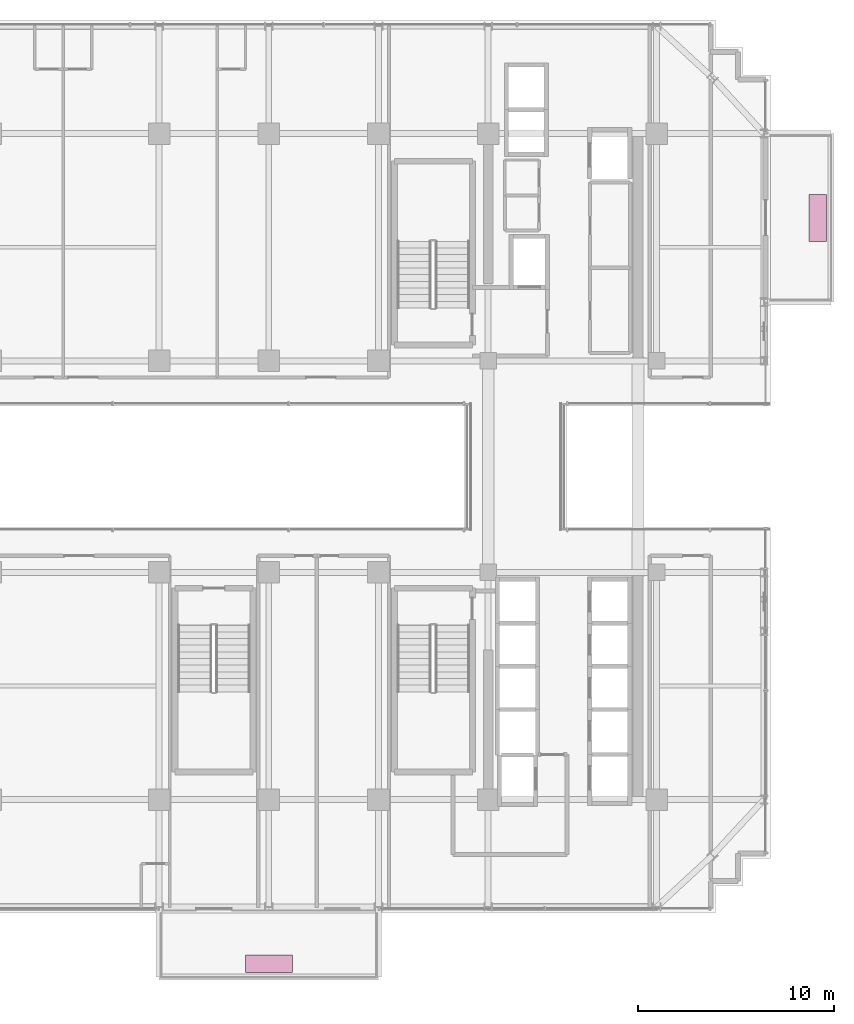
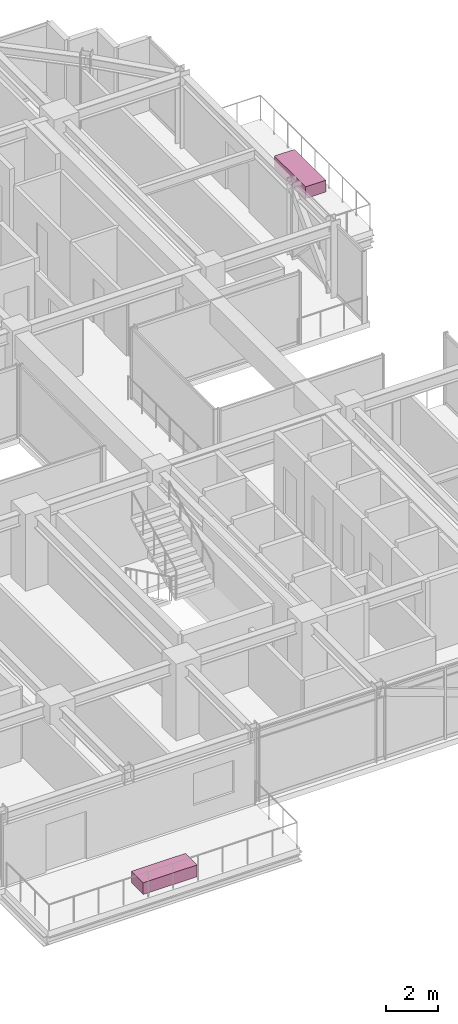
# One storey, part 38 of 38: 2 furnishings.
"""IFC4 building model written with IfcOpenShell, lengths in metres."""

import ifcopenshell
import ifcopenshell.guid

model = None  # the IFC model being written
_history = None  # IfcOwnerHistory: only IFC2X3 demands one
_inside = {}  # id of a spatial element -> (the spatial element, [elements in it])
_under = {}  # id of a project, library or spatial element -> (it, [spatial elements below it])
_declared = {}  # id of a project -> (the project, [libraries it declares])
_typed = {}  # id of a type object -> (the type object, [elements of that type])
_made_of = {}  # id of a material, layer set ... -> (it, [elements and type objects made of it])


def new_model(schema):
    """Start an empty IFC model of exactly this schema.

    Asked for "IFC4X3", IfcOpenShell would pick the latest addendum, in which some entities
    have other attributes; the version numbers below select the first issue.
    IFC2X3 requires an IfcOwnerHistory on every rooted entity: one is made here for all.
    """
    global model, _history
    if schema == "IFC4X3":
        model = ifcopenshell.file(schema_version=(4, 3, 0, 0))
    else:
        model = ifcopenshell.file(schema=schema)
    _inside.clear()
    _under.clear()
    _declared.clear()
    _typed.clear()
    _made_of.clear()
    _history = None
    if model.schema == "IFC2X3":
        org = make("IfcOrganization", Name="unknown")
        user = make(
            "IfcPersonAndOrganization",
            ThePerson=make("IfcPerson", FamilyName="unknown"),
            TheOrganization=org,
        )
        app = make(
            "IfcApplication",
            ApplicationDeveloper=org,
            Version="unknown",
            ApplicationFullName="unknown",
            ApplicationIdentifier="unknown",
        )
        _history = make(
            "IfcOwnerHistory",
            OwningUser=user,
            OwningApplication=app,
            ChangeAction="ADDED",
            CreationDate=0,
        )
    return model


def make(cls, **values):
    """One entity of the class cls with the attributes given. An attribute that is None is left unset."""
    return model.create_entity(
        cls, **{name: value for name, value in values.items() if value is not None}
    )


def rooted(cls, **values):
    """An entity with a GlobalId (a new one), such as an element, a storey or a relation."""
    return make(cls, GlobalId=ifcopenshell.guid.new(), OwnerHistory=_history, **values)


def si_unit(unit_type, name, prefix=None):
    """IfcSIUnit, for example si_unit("LENGTHUNIT", "METRE", prefix="MILLI")."""
    return make("IfcSIUnit", UnitType=unit_type, Prefix=prefix, Name=name)


def assignment(units):
    """IfcUnitAssignment: the units of a project."""
    return None if units is None else make("IfcUnitAssignment", Units=units)


def point(xyz):
    """IfcCartesianPoint."""
    return None if xyz is None else make("IfcCartesianPoint", Coordinates=xyz)


def direction(xyz):
    """IfcDirection."""
    return None if xyz is None else make("IfcDirection", DirectionRatios=xyz)


def frame(location, z_axis=None, x_axis=None):
    """IfcAxis2Placement3D, a coordinate frame: its origin and axes. An axis left out is left unset."""
    return make(
        "IfcAxis2Placement3D",
        Location=point(location),
        Axis=direction(z_axis),
        RefDirection=direction(x_axis),
    )


def frame_2d(location, x_axis=None):
    """IfcAxis2Placement2D, a coordinate frame in the plane: its origin and x axis."""
    return make(
        "IfcAxis2Placement2D", Location=point(location), RefDirection=direction(x_axis)
    )


def origin():
    """The frame at (0, 0, 0) with its axes left unset."""
    return frame((0.0, 0.0, 0.0))


def origin_2d():
    """The frame at (0, 0) in the plane with its x axis left unset."""
    return frame_2d((0.0, 0.0))


def place(relative_to, where):
    """IfcLocalPlacement: puts the frame where relative to a parent placement (None: the world)."""
    return make(
        "IfcLocalPlacement", PlacementRelTo=relative_to, RelativePlacement=where
    )


def context(
    kind, dimensions, precision=None, world=None, true_north=None, identifier=None
):
    """IfcGeometricRepresentationContext, for example the 3D "Model" context."""
    return make(
        "IfcGeometricRepresentationContext",
        ContextIdentifier=identifier,
        ContextType=kind,
        CoordinateSpaceDimension=dimensions,
        Precision=precision,
        WorldCoordinateSystem=world,
        TrueNorth=true_north,
    )


def subcontext(parent, identifier, kind, view, scale=None):
    """IfcGeometricRepresentationSubContext, for example "Body" below "Model"."""
    return make(
        "IfcGeometricRepresentationSubContext",
        ContextIdentifier=identifier,
        ContextType=kind,
        ParentContext=parent,
        TargetScale=scale,
        TargetView=view,
    )


def project(units=None, contexts=None):
    """IfcProject with its units and contexts."""
    return rooted(
        "IfcProject",
        Name="project",
        RepresentationContexts=contexts,
        UnitsInContext=assignment(units),
    )


def spatial(cls, under=None, at=None, **own):
    """A site, building, storey or space (cls), placed at a placement, below another one or the project."""
    s = rooted(cls, ObjectPlacement=at, **own)
    if under is not None:
        _under.setdefault(under.id(), (under, []))[1].append(s)
    return s


def profile(cls, at=None, kind="AREA", **sizes):
    """A parametric profile (cls). Its sizes go by their IFC names, for example OverallWidth=200.0."""
    return make(cls, ProfileType=kind, Position=at, **sizes)


def rectangle(**sizes):
    """IfcRectangleProfileDef."""
    return profile("IfcRectangleProfileDef", **sizes)


def extrude(swept, where, along, depth):
    """IfcExtrudedAreaSolid: the profile swept, set in the frame where, extruded along a direction by depth."""
    return make(
        "IfcExtrudedAreaSolid",
        SweptArea=swept,
        Position=where,
        ExtrudedDirection=direction(along),
        Depth=depth,
    )


def shape(context_of_items, identifier, shape_type, items):
    """IfcShapeRepresentation: the items that make up one representation, for example the "Body"."""
    return make(
        "IfcShapeRepresentation",
        ContextOfItems=context_of_items,
        RepresentationIdentifier=identifier,
        RepresentationType=shape_type,
        Items=items,
    )


def source(mapping_origin, context_of_items, identifier, shape_type, items):
    """IfcRepresentationMap: a shape defined once, which mapped items show again and again."""
    return make(
        "IfcRepresentationMap",
        MappingOrigin=mapping_origin,
        MappedRepresentation=shape(context_of_items, identifier, shape_type, items),
    )


def transform(
    local_origin,
    x_axis=None,
    y_axis=None,
    z_axis=None,
    scale=None,
    scale2=None,
    scale3=None,
    uniform=True,
):
    """IfcCartesianTransformationOperator3D, or its non-uniform kind. x_axis, y_axis, z_axis: its Axis1, 2, 3."""
    if uniform:
        return make(
            "IfcCartesianTransformationOperator3D",
            Axis1=direction(x_axis),
            Axis2=direction(y_axis),
            LocalOrigin=point(local_origin),
            Scale=scale,
            Axis3=direction(z_axis),
        )
    return make(
        "IfcCartesianTransformationOperator3DnonUniform",
        Axis1=direction(x_axis),
        Axis2=direction(y_axis),
        LocalOrigin=point(local_origin),
        Scale=scale,
        Axis3=direction(z_axis),
        Scale2=scale2,
        Scale3=scale3,
    )


def mapped(mapping_source, mapping_target):
    """IfcMappedItem: shows the shape of a source again, moved by a transform."""
    return make(
        "IfcMappedItem", MappingSource=mapping_source, MappingTarget=mapping_target
    )


def material(Name=None, Category=None):
    """IfcMaterial."""
    return make("IfcMaterial", Name=Name, Category=Category)


def made_of(thing, what):
    """Note that an element or type object is made of a material, layer set ...; save() writes the relation."""
    if what is not None:
        _made_of.setdefault(what.id(), (what, []))[1].append(thing)
    return thing


def type_object(cls, material=None, **own):
    """A type object (cls), such as IfcWallType, which elements share."""
    return made_of(rooted(cls, **own), material)


def element(
    cls,
    number,
    at=None,
    inside=None,
    cuts=None,
    type_object=None,
    material=None,
    context=None,
    identifier="Body",
    shape_type=None,
    held_by="IfcProductDefinitionShape",
    body=None,
    shapes=None,
    **own,
):
    """One element of the class cls, such as IfcWall. Its Tag is "e" and its number.

    at: its placement. inside: the storey or other place that contains it. cuts: it is an
    opening in that element (IfcRelVoidsElement). A single representation is given by context,
    identifier, shape_type and body (its items); several are given by shapes. held_by: the class
    of the entity that holds the representations. save() writes the other relations.
    """
    e = rooted(cls, Tag="e%d" % number, ObjectPlacement=at, **own)
    if body is not None:
        shapes = [shape(context, identifier, shape_type, body)]
    if shapes is not None:
        e.Representation = make(held_by, Representations=shapes)
    if inside is not None:
        _inside.setdefault(inside.id(), (inside, []))[1].append(e)
    if cuts is not None:
        rooted(
            "IfcRelVoidsElement", RelatingBuildingElement=cuts, RelatedOpeningElement=e
        )
    if type_object is not None:
        _typed.setdefault(type_object.id(), (type_object, []))[1].append(e)
    return made_of(e, material)


def aggregate(whole, parts):
    """IfcRelAggregates: a whole, such as a stair, and the parts it consists of."""
    return rooted("IfcRelAggregates", RelatingObject=whole, RelatedObjects=parts)


def save(model, path):
    """Write the relations noted so far, then the file.

    IfcRelAggregates (storeys below a building ...), IfcRelContainedInSpatialStructure (elements
    in a storey), IfcRelDefinesByType, IfcRelAssociatesMaterial and IfcRelDeclares: one each for
    every whole, place, type object, material and project.
    """
    for whole, parts in _under.values():
        aggregate(whole, parts)
    for where, things in _inside.values():
        rooted(
            "IfcRelContainedInSpatialStructure",
            RelatedElements=things,
            RelatingStructure=where,
        )
    for kind, things in _typed.values():
        rooted("IfcRelDefinesByType", RelatedObjects=things, RelatingType=kind)
    for what, things in _made_of.values():
        rooted("IfcRelAssociatesMaterial", RelatedObjects=things, RelatingMaterial=what)
    for by, libraries in _declared.values():
        rooted("IfcRelDeclares", RelatingContext=by, RelatedDefinitions=libraries)
    model.write(path)


model = new_model("IFC4")

# Units and contexts
model_context = context("Model", 3, precision=1e-05, world=origin(), true_north=direction((0.0, 1.0)))
body_context = subcontext(model_context, "Body", "Model", "MODEL_VIEW")
ifc_project = project(units=[si_unit("LENGTHUNIT", "METRE"), si_unit("AREAUNIT", "SQUARE_METRE"), si_unit("VOLUMEUNIT", "CUBIC_METRE"), si_unit("PLANEANGLEUNIT", "RADIAN"), si_unit("MASSUNIT", "GRAM", prefix="KILO")], contexts=[model_context])

# Site, building, storey
site_placement = place(None, origin())
site = spatial("IfcSite", under=ifc_project, at=site_placement, CompositionType="ELEMENT")
building_placement = place(site_placement, origin())
building = spatial("IfcBuilding", under=site, at=building_placement, Name="Nahalor Promenade Grand Hotel", CompositionType="ELEMENT")
storey_placement = place(building_placement, frame((0.0, 0.0, 163.60009765625)))
storey = spatial("IfcBuildingStorey", under=building, at=storey_placement, Name="L41", CompositionType="ELEMENT", Elevation=163.60009765625)

# Furnishings
ifc_material = material(Name="Vegetated Volcanic-Lapilli Tree Planter", Category="earth")
furnishing_element_type = type_object("IfcFurnishingElementType", Name="Planter-VerticalForest-Box", material=ifc_material)
shared_shape = source(origin(), body_context, "Body", "SweptSolid", [
    extrude(rectangle(XDim=2.39990234375, YDim=0.89990234375, at=origin_2d()), origin(), (0.0, 0.0, 1.0), 0.550048828125),
])
for number, where, z_axis, x_axis, name in (
    (1, (-2.800048828125, -25.389892578125, 0.0), (0.0, 0.0, 1.0), (1.0, 0.0, 0.0), "L41 Balcony Structural Tree Planter 1"),
    (2, (25.22998046875, 12.699951171875, 0.0), (0.0, 0.0, 1.0), (0.0, 1.0, 0.0), "L41 Balcony Structural Tree Planter 2"),
):
    element("IfcFurnishingElement", number, at=place(storey_placement, frame(where, z_axis=z_axis, x_axis=x_axis)), inside=storey, type_object=furnishing_element_type, Name=name, ObjectType="PLANTER", context=body_context, shape_type="MappedRepresentation", body=[
        mapped(shared_shape, transform((0.0, 0.0, 0.0), scale=1.0)),
    ])

save(model, "model.ifc")
